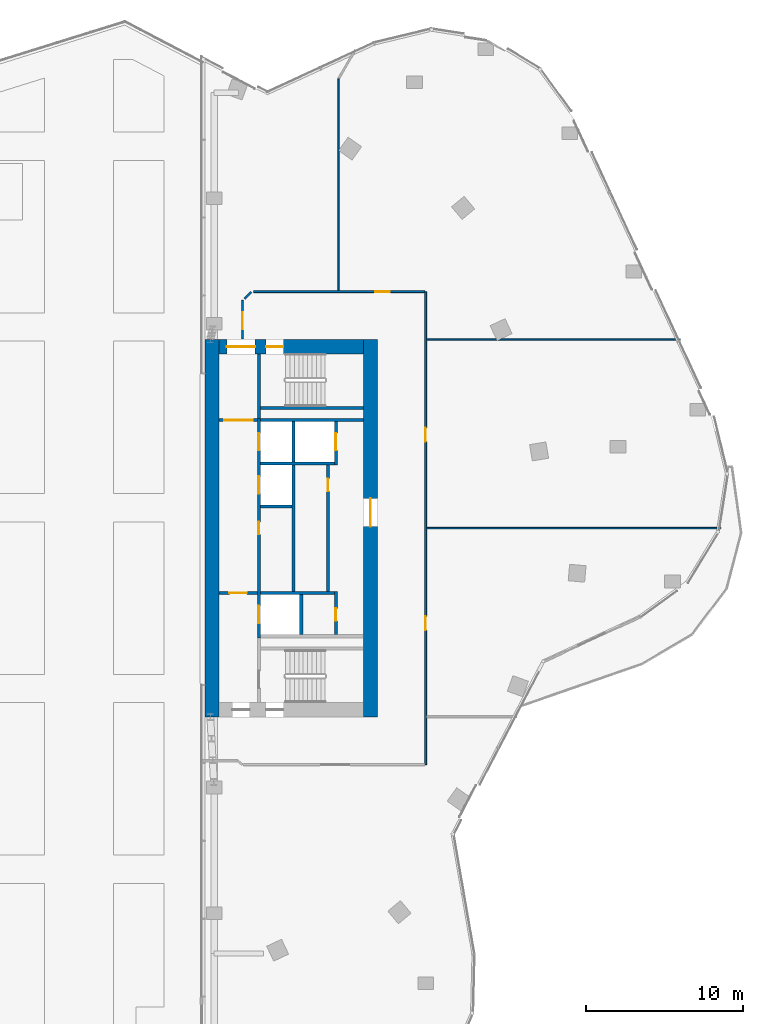
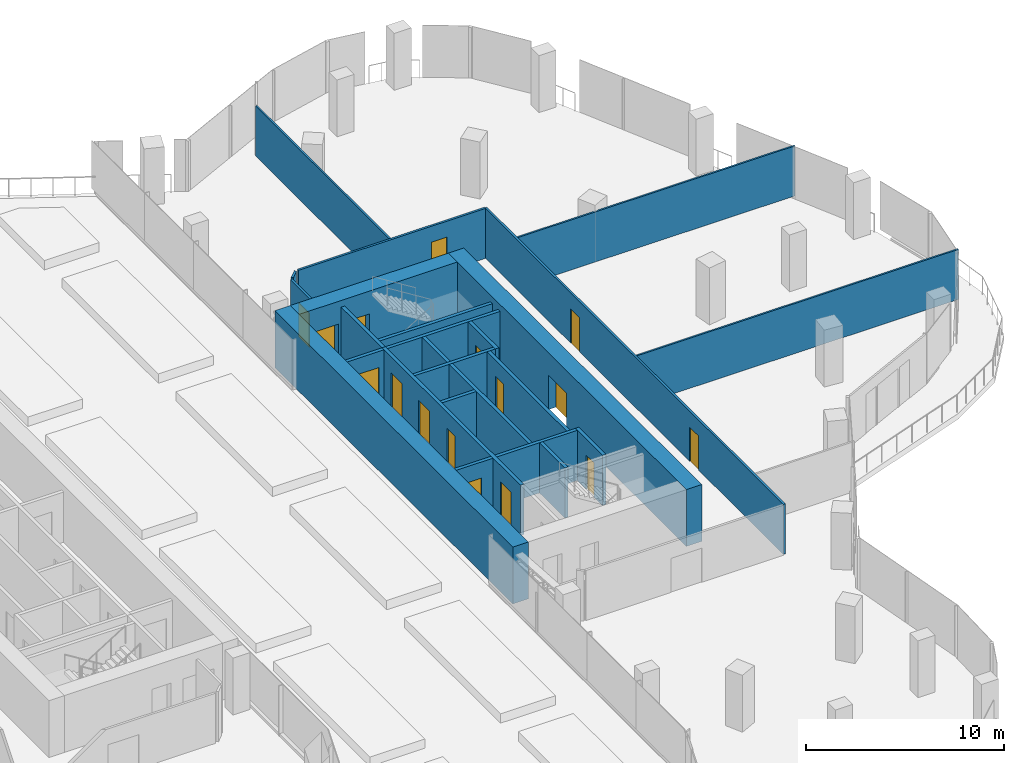
# One storey, part 21 of 26: 25 walls, 16 doors, 16 openings.
"""IFC4 building model written with IfcOpenShell, lengths in metres."""

import ifcopenshell
import ifcopenshell.guid

model = None  # the IFC model being written
_history = None  # IfcOwnerHistory: only IFC2X3 demands one
_inside = {}  # id of a spatial element -> (the spatial element, [elements in it])
_under = {}  # id of a project, library or spatial element -> (it, [spatial elements below it])
_declared = {}  # id of a project -> (the project, [libraries it declares])
_typed = {}  # id of a type object -> (the type object, [elements of that type])
_made_of = {}  # id of a material, layer set ... -> (it, [elements and type objects made of it])


def new_model(schema):
    """Start an empty IFC model of exactly this schema.

    Asked for "IFC4X3", IfcOpenShell would pick the latest addendum, in which some entities
    have other attributes; the version numbers below select the first issue.
    IFC2X3 requires an IfcOwnerHistory on every rooted entity: one is made here for all.
    """
    global model, _history
    if schema == "IFC4X3":
        model = ifcopenshell.file(schema_version=(4, 3, 0, 0))
    else:
        model = ifcopenshell.file(schema=schema)
    _inside.clear()
    _under.clear()
    _declared.clear()
    _typed.clear()
    _made_of.clear()
    _history = None
    if model.schema == "IFC2X3":
        org = make("IfcOrganization", Name="unknown")
        user = make(
            "IfcPersonAndOrganization",
            ThePerson=make("IfcPerson", FamilyName="unknown"),
            TheOrganization=org,
        )
        app = make(
            "IfcApplication",
            ApplicationDeveloper=org,
            Version="unknown",
            ApplicationFullName="unknown",
            ApplicationIdentifier="unknown",
        )
        _history = make(
            "IfcOwnerHistory",
            OwningUser=user,
            OwningApplication=app,
            ChangeAction="ADDED",
            CreationDate=0,
        )
    return model


def make(cls, **values):
    """One entity of the class cls with the attributes given. An attribute that is None is left unset."""
    return model.create_entity(
        cls, **{name: value for name, value in values.items() if value is not None}
    )


def rooted(cls, **values):
    """An entity with a GlobalId (a new one), such as an element, a storey or a relation."""
    return make(cls, GlobalId=ifcopenshell.guid.new(), OwnerHistory=_history, **values)


def si_unit(unit_type, name, prefix=None):
    """IfcSIUnit, for example si_unit("LENGTHUNIT", "METRE", prefix="MILLI")."""
    return make("IfcSIUnit", UnitType=unit_type, Prefix=prefix, Name=name)


def assignment(units):
    """IfcUnitAssignment: the units of a project."""
    return None if units is None else make("IfcUnitAssignment", Units=units)


def point(xyz):
    """IfcCartesianPoint."""
    return None if xyz is None else make("IfcCartesianPoint", Coordinates=xyz)


def direction(xyz):
    """IfcDirection."""
    return None if xyz is None else make("IfcDirection", DirectionRatios=xyz)


def frame(location, z_axis=None, x_axis=None):
    """IfcAxis2Placement3D, a coordinate frame: its origin and axes. An axis left out is left unset."""
    return make(
        "IfcAxis2Placement3D",
        Location=point(location),
        Axis=direction(z_axis),
        RefDirection=direction(x_axis),
    )


def frame_2d(location, x_axis=None):
    """IfcAxis2Placement2D, a coordinate frame in the plane: its origin and x axis."""
    return make(
        "IfcAxis2Placement2D", Location=point(location), RefDirection=direction(x_axis)
    )


def origin():
    """The frame at (0, 0, 0) with its axes left unset."""
    return frame((0.0, 0.0, 0.0))


def place(relative_to, where):
    """IfcLocalPlacement: puts the frame where relative to a parent placement (None: the world)."""
    return make(
        "IfcLocalPlacement", PlacementRelTo=relative_to, RelativePlacement=where
    )


def context(
    kind, dimensions, precision=None, world=None, true_north=None, identifier=None
):
    """IfcGeometricRepresentationContext, for example the 3D "Model" context."""
    return make(
        "IfcGeometricRepresentationContext",
        ContextIdentifier=identifier,
        ContextType=kind,
        CoordinateSpaceDimension=dimensions,
        Precision=precision,
        WorldCoordinateSystem=world,
        TrueNorth=true_north,
    )


def subcontext(parent, identifier, kind, view, scale=None):
    """IfcGeometricRepresentationSubContext, for example "Body" below "Model"."""
    return make(
        "IfcGeometricRepresentationSubContext",
        ContextIdentifier=identifier,
        ContextType=kind,
        ParentContext=parent,
        TargetScale=scale,
        TargetView=view,
    )


def project(units=None, contexts=None):
    """IfcProject with its units and contexts."""
    return rooted(
        "IfcProject",
        Name="project",
        RepresentationContexts=contexts,
        UnitsInContext=assignment(units),
    )


def spatial(cls, under=None, at=None, **own):
    """A site, building, storey or space (cls), placed at a placement, below another one or the project."""
    s = rooted(cls, ObjectPlacement=at, **own)
    if under is not None:
        _under.setdefault(under.id(), (under, []))[1].append(s)
    return s


def profile(cls, at=None, kind="AREA", **sizes):
    """A parametric profile (cls). Its sizes go by their IFC names, for example OverallWidth=200.0."""
    return make(cls, ProfileType=kind, Position=at, **sizes)


def rectangle(**sizes):
    """IfcRectangleProfileDef."""
    return profile("IfcRectangleProfileDef", **sizes)


def extrude(swept, where, along, depth):
    """IfcExtrudedAreaSolid: the profile swept, set in the frame where, extruded along a direction by depth."""
    return make(
        "IfcExtrudedAreaSolid",
        SweptArea=swept,
        Position=where,
        ExtrudedDirection=direction(along),
        Depth=depth,
    )


def shape(context_of_items, identifier, shape_type, items):
    """IfcShapeRepresentation: the items that make up one representation, for example the "Body"."""
    return make(
        "IfcShapeRepresentation",
        ContextOfItems=context_of_items,
        RepresentationIdentifier=identifier,
        RepresentationType=shape_type,
        Items=items,
    )


def material(Name=None, Category=None):
    """IfcMaterial."""
    return make("IfcMaterial", Name=Name, Category=Category)


def layer(
    of_material, thickness, ventilated=None, Name=None, Category=None, Priority=None
):
    """IfcMaterialLayer: one layer of a wall or slab, of a material (None: an air gap)."""
    return make(
        "IfcMaterialLayer",
        Material=of_material,
        LayerThickness=thickness,
        IsVentilated=ventilated,
        Name=Name,
        Category=Category,
        Priority=Priority,
    )


def layer_set(layers, Name=None):
    """IfcMaterialLayerSet."""
    return make("IfcMaterialLayerSet", MaterialLayers=layers, LayerSetName=Name)


def made_of(thing, what):
    """Note that an element or type object is made of a material, layer set ...; save() writes the relation."""
    if what is not None:
        _made_of.setdefault(what.id(), (what, []))[1].append(thing)
    return thing


def type_object(cls, material=None, **own):
    """A type object (cls), such as IfcWallType, which elements share."""
    return made_of(rooted(cls, **own), material)


def element(
    cls,
    number,
    at=None,
    inside=None,
    cuts=None,
    type_object=None,
    material=None,
    context=None,
    identifier="Body",
    shape_type=None,
    held_by="IfcProductDefinitionShape",
    body=None,
    shapes=None,
    **own,
):
    """One element of the class cls, such as IfcWall. Its Tag is "e" and its number.

    at: its placement. inside: the storey or other place that contains it. cuts: it is an
    opening in that element (IfcRelVoidsElement). A single representation is given by context,
    identifier, shape_type and body (its items); several are given by shapes. held_by: the class
    of the entity that holds the representations. save() writes the other relations.
    """
    e = rooted(cls, Tag="e%d" % number, ObjectPlacement=at, **own)
    if body is not None:
        shapes = [shape(context, identifier, shape_type, body)]
    if shapes is not None:
        e.Representation = make(held_by, Representations=shapes)
    if inside is not None:
        _inside.setdefault(inside.id(), (inside, []))[1].append(e)
    if cuts is not None:
        rooted(
            "IfcRelVoidsElement", RelatingBuildingElement=cuts, RelatedOpeningElement=e
        )
    if type_object is not None:
        _typed.setdefault(type_object.id(), (type_object, []))[1].append(e)
    return made_of(e, material)


def fill(opening, filler):
    """IfcRelFillsElement: the door or window that sits in an opening."""
    return rooted(
        "IfcRelFillsElement",
        RelatingOpeningElement=opening,
        RelatedBuildingElement=filler,
    )


def aggregate(whole, parts):
    """IfcRelAggregates: a whole, such as a stair, and the parts it consists of."""
    return rooted("IfcRelAggregates", RelatingObject=whole, RelatedObjects=parts)


def save(model, path):
    """Write the relations noted so far, then the file.

    IfcRelAggregates (storeys below a building ...), IfcRelContainedInSpatialStructure (elements
    in a storey), IfcRelDefinesByType, IfcRelAssociatesMaterial and IfcRelDeclares: one each for
    every whole, place, type object, material and project.
    """
    for whole, parts in _under.values():
        aggregate(whole, parts)
    for where, things in _inside.values():
        rooted(
            "IfcRelContainedInSpatialStructure",
            RelatedElements=things,
            RelatingStructure=where,
        )
    for kind, things in _typed.values():
        rooted("IfcRelDefinesByType", RelatedObjects=things, RelatingType=kind)
    for what, things in _made_of.values():
        rooted("IfcRelAssociatesMaterial", RelatedObjects=things, RelatingMaterial=what)
    for by, libraries in _declared.values():
        rooted("IfcRelDeclares", RelatingContext=by, RelatedDefinitions=libraries)
    model.write(path)


model = new_model("IFC4")

# Units and contexts
model_context = context("Model", 3, precision=1e-05, world=origin(), true_north=direction((0.0, 1.0)))
body_context = subcontext(model_context, "Body", "Model", "MODEL_VIEW")
ifc_project = project(units=[si_unit("LENGTHUNIT", "METRE"), si_unit("AREAUNIT", "SQUARE_METRE"), si_unit("VOLUMEUNIT", "CUBIC_METRE"), si_unit("PLANEANGLEUNIT", "RADIAN"), si_unit("MASSUNIT", "GRAM", prefix="KILO")], contexts=[model_context])

# Site, building, storey
site_placement = place(None, origin())
site = spatial("IfcSite", under=ifc_project, at=site_placement, CompositionType="ELEMENT")
building_placement = place(site_placement, origin())
building = spatial("IfcBuilding", under=site, at=building_placement, Name="Orlundy Tower", CompositionType="ELEMENT")
storey_placement = place(building_placement, frame((0.0, 0.0, 253.5)))
storey = spatial("IfcBuildingStorey", under=building, at=storey_placement, Name="L67", CompositionType="ELEMENT", Elevation=253.5)

# Wall, openings, doors
ifc_material_1 = material(Name="Concrete C60/75", Category="concrete")
ifc_layer_1 = layer(ifc_material_1, 0.89990234375)
ifc_layer_set_1 = layer_set([ifc_layer_1], Name="CORE WALL 900 C60/75")
wall_type_1 = type_object("IfcWallType", Name="CORE WALL 900 C60/75", PredefinedType="SHEAR", material=ifc_layer_set_1)
wall_1_placement = place(storey_placement, frame((8.89990234375, 11.550048828125, 0.0), z_axis=(0.0, 0.0, 1.0), x_axis=(1.0, 0.0, 0.0)))
wall_1 = element("IfcWall", 1, at=wall_1_placement, inside=storey, type_object=wall_type_1, Name="Core wall E-N L67", PredefinedType="SHEAR", context=body_context, shape_type="SweptSolid", body=[
    extrude(rectangle(XDim=9.2001953125, YDim=0.89990234375, at=frame_2d((4.60009765625, 0.0))), origin(), (0.0, 0.0, 1.0), 3.5),
])
opening_1_placement = place(wall_1_placement, frame((0.5, 0.0, 0.0)))
opening_1 = element("IfcOpeningElement", 2, at=opening_1_placement, cuts=wall_1, Name="Opening 51061", PredefinedType="OPENING", context=body_context, shape_type="SweptSolid", body=[
    extrude(rectangle(XDim=1.800048828125, YDim=2.10009765625, at=frame_2d((0.89990234375, 1.050048828125))), frame((0.0, 0.4599609375, 0.0), z_axis=(0.0, -1.0, 0.0), x_axis=(1.0, 0.0, 0.0)), (0.0, 0.0, 1.0), 0.919921875),
])
opening_2_placement = place(wall_1_placement, frame((3.0, 0.0, 0.0)))
opening_2 = element("IfcOpeningElement", 3, at=opening_2_placement, cuts=wall_1, Name="Opening 51063", PredefinedType="OPENING", context=body_context, shape_type="SweptSolid", body=[
    extrude(rectangle(XDim=1.10009765625, YDim=2.10009765625, at=frame_2d((0.550048828125, 1.050048828125))), frame((0.0, 0.4599609375, 0.0), z_axis=(0.0, -1.0, 0.0), x_axis=(1.0, 0.0, 0.0)), (0.0, 0.0, 1.0), 0.919921875),
])
ifc_material_2 = material(Name="Timber door set", Category="wood")
door_type_1 = type_object("IfcDoorType", Name="Lobby Door 1800x2100", OperationType="DOUBLE_DOOR_DOUBLE_SWING", PredefinedType="DOOR", material=ifc_material_2)
door_1_placement = place(opening_1_placement, origin())
door_1 = element("IfcDoor", 4, at=door_1_placement, inside=storey, type_object=door_type_1, Name="Passage door 51061", OperationType="SINGLE_SWING_LEFT", OverallHeight=2.10009765625, OverallWidth=1.800048828125, PredefinedType="DOOR", context=body_context, shape_type="SweptSolid", body=[
    extrude(rectangle(XDim=1.800048828125, YDim=2.10009765625, at=frame_2d((0.89990234375, 1.050048828125))), frame((0.0, 0.02490234375, 0.0), z_axis=(0.0, -1.0, 0.0), x_axis=(1.0, 0.0, 0.0)), (0.0, 0.0, 1.0), 0.050048828125),
])
fill(opening_1, door_1)
ifc_material_3 = material(Name="Steel door set", Category="steel")
door_type_2 = type_object("IfcDoorType", Name="Stair Door 1100x2100", OperationType="SINGLE_SWING_LEFT", PredefinedType="DOOR", material=ifc_material_3)
door_2_placement = place(opening_2_placement, origin())
door_2 = element("IfcDoor", 5, at=door_2_placement, inside=storey, type_object=door_type_2, Name="Stair door 51063", OperationType="SINGLE_SWING_LEFT", OverallHeight=2.10009765625, OverallWidth=1.10009765625, PredefinedType="DOOR", context=body_context, shape_type="SweptSolid", body=[
    extrude(rectangle(XDim=1.10009765625, YDim=2.10009765625, at=frame_2d((0.550048828125, 1.050048828125))), frame((0.0, 0.02490234375, 0.0), z_axis=(0.0, -1.0, 0.0), x_axis=(1.0, 0.0, 0.0)), (0.0, 0.0, 1.0), 0.050048828125),
])
fill(opening_2, door_2)

# Wall
wall_2_placement = place(storey_placement, frame((8.449951171875, -12.0, 0.0), z_axis=(0.0, 0.0, 1.0), x_axis=(0.0, 1.0, 0.0)))
element("IfcWall", 6, at=wall_2_placement, inside=storey, type_object=wall_type_1, Name="Core wall E-W L67", PredefinedType="SHEAR", context=body_context, shape_type="SweptSolid", body=[
    extrude(rectangle(XDim=24.0, YDim=0.89990234375, at=frame_2d((12.0, 0.0))), origin(), (0.0, 0.0, 1.0), 3.5),
])

# Wall, opening, door
wall_3_placement = place(storey_placement, frame((18.550048828125, -12.0, 0.0), z_axis=(0.0, 0.0, 1.0), x_axis=(0.0, 1.0, 0.0)))
wall_3 = element("IfcWall", 7, at=wall_3_placement, inside=storey, type_object=wall_type_1, Name="Core wall E-E L67", PredefinedType="SHEAR", context=body_context, shape_type="SweptSolid", body=[
    extrude(rectangle(XDim=24.0, YDim=0.89990234375, at=frame_2d((12.0, 0.0))), origin(), (0.0, 0.0, 1.0), 3.5),
])
opening_3_placement = place(wall_3_placement, frame((12.10009765625, 0.0, 0.0)))
opening_3 = element("IfcOpeningElement", 8, at=opening_3_placement, cuts=wall_3, Name="Opening 51057", PredefinedType="OPENING", context=body_context, shape_type="SweptSolid", body=[
    extrude(rectangle(XDim=1.800048828125, YDim=2.10009765625, at=frame_2d((0.89990234375, 1.050048828125))), frame((0.0, 0.4599609375, 0.0), z_axis=(0.0, -1.0, 0.0), x_axis=(1.0, 0.0, 0.0)), (0.0, 0.0, 1.0), 0.919921875),
])
door_3_placement = place(opening_3_placement, origin())
door_3 = element("IfcDoor", 9, at=door_3_placement, inside=storey, type_object=door_type_1, Name="Lift lobby door 51057", OperationType="SINGLE_SWING_RIGHT", OverallHeight=2.10009765625, OverallWidth=1.800048828125, PredefinedType="DOOR", context=body_context, shape_type="SweptSolid", body=[
    extrude(rectangle(XDim=1.800048828125, YDim=2.10009765625, at=frame_2d((0.89990234375, 1.050048828125))), frame((0.0, 0.02490234375, 0.0), z_axis=(0.0, -1.0, 0.0), x_axis=(1.0, 0.0, 0.0)), (0.0, 0.0, 1.0), 0.050048828125),
])
fill(opening_3, door_3)

# Walls
ifc_material_4 = material(Name="Gypsum board partition")
ifc_layer_2 = layer(ifc_material_4, 0.10009765625)
ifc_layer_set_2 = layer_set([ifc_layer_2], Name="Floor partition 100")
wall_type_2 = type_object("IfcWallType", Name="Floor partition 100", PredefinedType="PARTITIONING", material=ifc_layer_set_2)
wall_4_placement = place(storey_placement, frame((22.113037109375, 0.0, 0.0), z_axis=(0.0, 0.0, 1.0), x_axis=(1.0, 0.0, 0.0)))
element("IfcWall", 10, at=wall_4_placement, inside=storey, type_object=wall_type_2, Name="wall-int-L67-007", PredefinedType="PARTITIONING", context=body_context, shape_type="SweptSolid", body=[
    extrude(rectangle(XDim=18.724853515625, YDim=0.10009765625, at=frame_2d((9.3623046875, 0.0))), origin(), (0.0, 0.0, 1.0), 3.080078125),
])
wall_5_placement = place(storey_placement, frame((22.113037109375, 12.0, 0.0), z_axis=(0.0, 0.0, 1.0), x_axis=(1.0, 0.0, 0.0)))
element("IfcWall", 11, at=wall_5_placement, inside=storey, type_object=wall_type_2, Name="wall-int-L67-010", PredefinedType="PARTITIONING", context=body_context, shape_type="SweptSolid", body=[
    extrude(rectangle(XDim=16.134033203125, YDim=0.10009765625, at=frame_2d((8.06689453125, 0.0))), origin(), (0.0, 0.0, 1.0), 3.080078125),
])
wall_6_placement = place(storey_placement, frame((16.5048828125, 15.114013671875, 0.0), z_axis=(0.0, 0.0, 1.0), x_axis=(0.0, 1.0, 0.0)))
element("IfcWall", 12, at=wall_6_placement, inside=storey, type_object=wall_type_2, Name="wall-int-L67-018", PredefinedType="PARTITIONING", context=body_context, shape_type="SweptSolid", body=[
    extrude(rectangle(XDim=13.472900390625, YDim=0.10009765625, at=frame_2d((6.736328125, 0.0))), origin(), (0.0, 0.0, 1.0), 3.080078125),
])

# Wall, opening, door
ifc_material_5 = material(Name="Gypsum board partition, double layer")
ifc_layer_3 = layer(ifc_material_5, 0.125)
ifc_layer_set_3 = layer_set([ifc_layer_3], Name="Floor partition 125")
wall_type_3 = type_object("IfcWallType", Name="Floor partition 125", PredefinedType="PARTITIONING", material=ifc_layer_set_3)
wall_7_placement = place(storey_placement, frame((11.110107421875, 15.051025390625, 0.0), z_axis=(0.0, 0.0, 1.0), x_axis=(1.0, 0.0, 0.0)))
wall_7 = element("IfcWall", 13, at=wall_7_placement, inside=storey, type_object=wall_type_3, Name="wall-int-L67-013", PredefinedType="PARTITIONING", context=body_context, shape_type="SweptSolid", body=[
    extrude(rectangle(XDim=10.8779296875, YDim=0.125, at=frame_2d((5.43896484375, 0.0))), origin(), (0.0, 0.0, 1.0), 3.080078125),
])
opening_4_placement = place(wall_7_placement, frame((7.7451171875, 0.0, 0.0)))
opening_4 = element("IfcOpeningElement", 14, at=opening_4_placement, cuts=wall_7, Name="Opening 51104", PredefinedType="OPENING", context=body_context, shape_type="SweptSolid", body=[
    extrude(rectangle(XDim=0.89990234375, YDim=2.10009765625, at=frame_2d((0.449951171875, 1.050048828125))), frame((0.0, 0.072509765625, 0.0), z_axis=(0.0, -1.0, 0.0), x_axis=(1.0, 0.0, 0.0)), (0.0, 0.0, 1.0), 0.14501953125),
])
ifc_material_6 = material(Name="Timber door leaf", Category="wood")
door_type_3 = type_object("IfcDoorType", Name="Floor door single 900 FD30S", OperationType="NOTDEFINED", PredefinedType="DOOR", material=ifc_material_6)
door_4_placement = place(opening_4_placement, origin())
door_4 = element("IfcDoor", 15, at=door_4_placement, inside=storey, type_object=door_type_3, Name="Door 51104", OperationType="SINGLE_SWING_RIGHT", OverallHeight=2.10009765625, OverallWidth=0.89990234375, PredefinedType="DOOR", context=body_context, shape_type="SweptSolid", body=[
    extrude(rectangle(XDim=0.89990234375, YDim=2.10009765625, at=frame_2d((0.449951171875, 1.050048828125))), frame((0.0, 0.02490234375, 0.0), z_axis=(0.0, -1.0, 0.0), x_axis=(1.0, 0.0, 0.0)), (0.0, 0.0, 1.0), 0.050048828125),
])
fill(opening_4, door_4)

# Wall
wall_8_placement = place(storey_placement, frame((10.529052734375, 14.60693359375, 0.0), z_axis=(0.0, 0.0, 1.0), x_axis=(0.706902680526, 0.707310822952, 0.0)))
element("IfcWall", 16, at=wall_8_placement, inside=storey, type_object=wall_type_3, Name="wall-int-L67-015", PredefinedType="PARTITIONING", context=body_context, shape_type="SweptSolid", body=[
    extrude(rectangle(XDim=0.59814453125, YDim=0.125, at=frame_2d((0.299072265625, 0.0))), origin(), (0.0, 0.0, 1.0), 3.080078125),
])

# Wall, openings, doors
wall_9_placement = place(storey_placement, frame((22.051025390625, 15.050048828125, 0.0), z_axis=(0.0, 0.0, 1.0), x_axis=(0.0, -1.0, 0.0)))
wall_9 = element("IfcWall", 17, at=wall_9_placement, inside=storey, type_object=wall_type_3, Name="wall-int-L67-017", PredefinedType="PARTITIONING", context=body_context, shape_type="SweptSolid", body=[
    extrude(rectangle(XDim=30.09912109375, YDim=0.125, at=frame_2d((15.049560546875, 0.0))), origin(), (0.0, 0.0, 1.0), 3.080078125),
])
opening_5_placement = place(wall_9_placement, frame((20.64990234375, 0.0, 0.0)))
opening_5 = element("IfcOpeningElement", 18, at=opening_5_placement, cuts=wall_9, Name="Opening 51102", PredefinedType="OPENING", context=body_context, shape_type="SweptSolid", body=[
    extrude(rectangle(XDim=0.89990234375, YDim=2.10009765625, at=frame_2d((0.449951171875, 1.050048828125))), frame((0.0, 0.072509765625, 0.0), z_axis=(0.0, -1.0, 0.0), x_axis=(1.0, 0.0, 0.0)), (0.0, 0.0, 1.0), 0.14501953125),
])
opening_6_placement = place(wall_9_placement, frame((8.64990234375, 0.0, 0.0)))
opening_6 = element("IfcOpeningElement", 19, at=opening_6_placement, cuts=wall_9, Name="Opening 51103", PredefinedType="OPENING", context=body_context, shape_type="SweptSolid", body=[
    extrude(rectangle(XDim=0.89990234375, YDim=2.10009765625, at=frame_2d((0.449951171875, 1.050048828125))), frame((0.0, 0.072509765625, 0.0), z_axis=(0.0, -1.0, 0.0), x_axis=(1.0, 0.0, 0.0)), (0.0, 0.0, 1.0), 0.14501953125),
])
door_5_placement = place(opening_5_placement, origin())
door_5 = element("IfcDoor", 20, at=door_5_placement, inside=storey, type_object=door_type_3, Name="Door 51102", OperationType="SINGLE_SWING_RIGHT", OverallHeight=2.10009765625, OverallWidth=0.89990234375, PredefinedType="DOOR", context=body_context, shape_type="SweptSolid", body=[
    extrude(rectangle(XDim=0.89990234375, YDim=2.10009765625, at=frame_2d((0.449951171875, 1.050048828125))), frame((0.0, 0.02490234375, 0.0), z_axis=(0.0, -1.0, 0.0), x_axis=(1.0, 0.0, 0.0)), (0.0, 0.0, 1.0), 0.050048828125),
])
fill(opening_5, door_5)
door_6_placement = place(opening_6_placement, origin())
door_6 = element("IfcDoor", 21, at=door_6_placement, inside=storey, type_object=door_type_3, Name="Door 51103", OperationType="SINGLE_SWING_LEFT", OverallHeight=2.10009765625, OverallWidth=0.89990234375, PredefinedType="DOOR", context=body_context, shape_type="SweptSolid", body=[
    extrude(rectangle(XDim=0.89990234375, YDim=2.10009765625, at=frame_2d((0.449951171875, 1.050048828125))), frame((0.0, 0.02490234375, 0.0), z_axis=(0.0, -1.0, 0.0), x_axis=(1.0, 0.0, 0.0)), (0.0, 0.0, 1.0), 0.050048828125),
])
fill(opening_6, door_6)

# Wall, opening, door
wall_10_placement = place(storey_placement, frame((10.39990234375, 12.050048828125, 0.0), z_axis=(0.0, 0.0, 1.0), x_axis=(0.0, 1.0, 0.0)))
wall_10 = element("IfcWall", 22, at=wall_10_placement, inside=storey, type_object=wall_type_3, Name="wall-int-L67-020", PredefinedType="PARTITIONING", context=body_context, shape_type="SweptSolid", body=[
    extrude(rectangle(XDim=2.44189453125, YDim=0.125, at=frame_2d((1.220947265625, 0.0))), origin(), (0.0, 0.0, 1.0), 3.080078125),
])
opening_7_placement = place(wall_10_placement, frame((0.60009765625, 0.0, 0.0)))
opening_7 = element("IfcOpeningElement", 23, at=opening_7_placement, cuts=wall_10, Name="Opening 51105", PredefinedType="OPENING", context=body_context, shape_type="SweptSolid", body=[
    extrude(rectangle(XDim=1.10009765625, YDim=2.10009765625, at=frame_2d((0.550048828125, 1.050048828125))), frame((0.0, 0.072509765625, 0.0), z_axis=(0.0, -1.0, 0.0), x_axis=(1.0, 0.0, 0.0)), (0.0, 0.0, 1.0), 0.14501953125),
])
ifc_material_7 = material(Name="Timber door leaf", Category="wood")
door_type_4 = type_object("IfcDoorType", Name="Floor door xwide 1100 FD30S", OperationType="NOTDEFINED", PredefinedType="DOOR", material=ifc_material_7)
door_7_placement = place(opening_7_placement, origin())
door_7 = element("IfcDoor", 24, at=door_7_placement, inside=storey, type_object=door_type_4, Name="Door 51105", OperationType="SINGLE_SWING_LEFT", OverallHeight=2.10009765625, OverallWidth=1.10009765625, PredefinedType="DOOR", context=body_context, shape_type="SweptSolid", body=[
    extrude(rectangle(XDim=1.10009765625, YDim=2.10009765625, at=frame_2d((0.550048828125, 1.050048828125))), frame((0.0, 0.02490234375, 0.0), z_axis=(0.0, -1.0, 0.0), x_axis=(1.0, 0.0, 0.0)), (0.0, 0.0, 1.0), 0.050048828125),
])
fill(opening_7, door_7)

# Walls
ifc_material_8 = material(Name="Concrete C40/50", Category="concrete")
ifc_layer_4 = layer(ifc_material_8, 0.199951171875)
ifc_layer_set_4 = layer_set([ifc_layer_4], Name="Load-bearing Shaft Wall 200")
wall_type_4 = type_object("IfcWallType", Name="Load-bearing Shaft Wall 200", PredefinedType="SOLIDWALL", material=ifc_layer_set_4)
wall_11_placement = place(storey_placement, frame((11.43994140625, 11.10009765625, 0.0), z_axis=(0.0, 0.0, 1.0), x_axis=(0.0, -1.0, 0.0)))
element("IfcWall", 25, at=wall_11_placement, inside=storey, type_object=wall_type_4, Name="Shaft wall E51-stair-end-s", PredefinedType="SOLIDWALL", context=body_context, shape_type="SweptSolid", body=[
    extrude(rectangle(XDim=4.125, YDim=0.199951171875, at=frame_2d((2.0625, 0.0))), origin(), (0.0, 0.0, 1.0), 3.090087890625),
])
wall_12_placement = place(storey_placement, frame((11.5400390625, 7.64990234375, 0.0), z_axis=(0.0, 0.0, 1.0), x_axis=(1.0, 0.0, 0.0)))
element("IfcWall", 26, at=wall_12_placement, inside=storey, type_object=wall_type_4, Name="Shaft wall E51-stair-side-s", PredefinedType="SOLIDWALL", context=body_context, shape_type="SweptSolid", body=[
    extrude(rectangle(XDim=6.56005859375, YDim=0.199951171875, at=frame_2d((3.280029296875, 0.0))), origin(), (0.0, 0.0, 1.0), 3.090087890625),
])

# Wall, opening, door
ifc_material_9 = material(Name="Gypsum board partition on steel studs", Category="steel")
ifc_layer_5 = layer(ifc_material_9, 0.199951171875)
ifc_layer_set_5 = layer_set([ifc_layer_5], Name="Partition 200")
wall_type_5 = type_object("IfcWallType", Name="Partition 200", PredefinedType="PARTITIONING", material=ifc_layer_set_5)
wall_13_placement = place(storey_placement, frame((8.89990234375, -4.125, 0.0), z_axis=(0.0, 0.0, 1.0), x_axis=(1.0, 0.0, 0.0)))
wall_13 = element("IfcWall", 27, at=wall_13_placement, inside=storey, type_object=wall_type_5, Name="Partition wall E51-lobby-n", PredefinedType="PARTITIONING", context=body_context, shape_type="SweptSolid", body=[
    extrude(rectangle(XDim=2.440185546875, YDim=0.199951171875, at=frame_2d((1.22021484375, 0.0))), origin(), (0.0, 0.0, 1.0), 3.090087890625),
])
opening_8_placement = place(wall_13_placement, frame((0.669921875, 0.0, 0.0)))
opening_8 = element("IfcOpeningElement", 28, at=opening_8_placement, cuts=wall_13, Name="Opening 51059", PredefinedType="OPENING", context=body_context, shape_type="SweptSolid", body=[
    extrude(rectangle(XDim=1.10009765625, YDim=2.10009765625, at=frame_2d((0.550048828125, 1.050048828125))), frame((0.0, 0.110107421875, 0.0), z_axis=(0.0, -1.0, 0.0), x_axis=(1.0, 0.0, 0.0)), (0.0, 0.0, 1.0), 0.22021484375),
])
ifc_material_10 = material(Name="Steel door set", Category="steel")
door_type_5 = type_object("IfcDoorType", Name="Fire-fighting Lobby Door 1100x2100", OperationType="SINGLE_SWING_LEFT", PredefinedType="DOOR", material=ifc_material_10)
door_8_placement = place(opening_8_placement, origin())
door_8 = element("IfcDoor", 29, at=door_8_placement, inside=storey, type_object=door_type_5, Name="Lift lobby to fire-fighting lobby door 51059", OperationType="SINGLE_SWING_RIGHT", OverallHeight=2.10009765625, OverallWidth=1.10009765625, PredefinedType="DOOR", context=body_context, shape_type="SweptSolid", body=[
    extrude(rectangle(XDim=1.10009765625, YDim=2.10009765625, at=frame_2d((0.550048828125, 1.050048828125))), frame((0.0, 0.02490234375, 0.0), z_axis=(0.0, -1.0, 0.0), x_axis=(1.0, 0.0, 0.0)), (0.0, 0.0, 1.0), 0.050048828125),
])
fill(opening_8, door_8)

wall_14_placement = place(storey_placement, frame((8.89990234375, 6.875, 0.0), z_axis=(0.0, 0.0, 1.0), x_axis=(1.0, 0.0, 0.0)))
wall_14 = element("IfcWall", 30, at=wall_14_placement, inside=storey, type_object=wall_type_5, Name="Partition wall E51-end-s", PredefinedType="PARTITIONING", context=body_context, shape_type="SweptSolid", body=[
    extrude(rectangle(XDim=2.440185546875, YDim=0.199951171875, at=frame_2d((1.22021484375, 0.0))), origin(), (0.0, 0.0, 1.0), 3.090087890625),
])
opening_9_placement = place(wall_14_placement, frame((0.35009765625, 0.0, 0.0)))
opening_9 = element("IfcOpeningElement", 31, at=opening_9_placement, cuts=wall_14, Name="Opening 51060", PredefinedType="OPENING", context=body_context, shape_type="SweptSolid", body=[
    extrude(rectangle(XDim=1.800048828125, YDim=2.10009765625, at=frame_2d((0.89990234375, 1.050048828125))), frame((0.0, 0.110107421875, 0.0), z_axis=(0.0, -1.0, 0.0), x_axis=(1.0, 0.0, 0.0)), (0.0, 0.0, 1.0), 0.22021484375),
])
door_9_placement = place(opening_9_placement, origin())
door_9 = element("IfcDoor", 32, at=door_9_placement, inside=storey, type_object=door_type_1, Name="Lift lobby to passage door 51060", OperationType="DOUBLE_DOOR_DOUBLE_SWING", OverallHeight=2.10009765625, OverallWidth=1.800048828125, PredefinedType="DOOR", context=body_context, shape_type="SweptSolid", body=[
    extrude(rectangle(XDim=1.800048828125, YDim=2.10009765625, at=frame_2d((0.89990234375, 1.050048828125))), frame((0.0, 0.02490234375, 0.0), z_axis=(0.0, -1.0, 0.0), x_axis=(1.0, 0.0, 0.0)), (0.0, 0.0, 1.0), 0.050048828125),
])
fill(opening_9, door_9)

# Walls
ifc_material_11 = material(Name="Fire-rated blockwork shaft wall", Category="masonry")
ifc_layer_6 = layer(ifc_material_11, 0.199951171875)
ifc_layer_set_6 = layer_set([ifc_layer_6], Name="Shaft Wall 200")
wall_type_6 = type_object("IfcWallType", Name="Shaft Wall 200", PredefinedType="SOLIDWALL", material=ifc_layer_set_6)
wall_15_placement = place(storey_placement, frame((11.5400390625, 6.875, 0.0), z_axis=(0.0, 0.0, 1.0), x_axis=(1.0, 0.0, 0.0)))
element("IfcWall", 33, at=wall_15_placement, inside=storey, type_object=wall_type_6, Name="Shaft wall E51-zone-s", PredefinedType="SOLIDWALL", context=body_context, shape_type="SweptSolid", body=[
    extrude(rectangle(XDim=6.56005859375, YDim=0.199951171875, at=frame_2d((3.280029296875, 0.0))), origin(), (0.0, 0.0, 1.0), 3.090087890625),
])
wall_16_placement = place(storey_placement, frame((11.5400390625, 4.125, 0.0), z_axis=(0.0, 0.0, 1.0), x_axis=(1.0, 0.0, 0.0)))
element("IfcWall", 34, at=wall_16_placement, inside=storey, type_object=wall_type_6, Name="Shaft wall E51-cross-4.125", PredefinedType="SOLIDWALL", context=body_context, shape_type="SweptSolid", body=[
    extrude(rectangle(XDim=4.699951171875, YDim=0.199951171875, at=frame_2d((2.35009765625, 0.0))), origin(), (0.0, 0.0, 1.0), 3.090087890625),
])
wall_17_placement = place(storey_placement, frame((11.5400390625, 1.375, 0.0), z_axis=(0.0, 0.0, 1.0), x_axis=(1.0, 0.0, 0.0)))
element("IfcWall", 35, at=wall_17_placement, inside=storey, type_object=wall_type_6, Name="Shaft wall E51-cross-1.375", PredefinedType="SOLIDWALL", context=body_context, shape_type="SweptSolid", body=[
    extrude(rectangle(XDim=2.0, YDim=0.199951171875, at=frame_2d((1.0, 0.0))), origin(), (0.0, 0.0, 1.0), 3.090087890625),
])
wall_18_placement = place(storey_placement, frame((11.5400390625, -4.125, 0.0), z_axis=(0.0, 0.0, 1.0), x_axis=(1.0, 0.0, 0.0)))
element("IfcWall", 36, at=wall_18_placement, inside=storey, type_object=wall_type_6, Name="Shaft wall E51-cross+4.125", PredefinedType="SOLIDWALL", context=body_context, shape_type="SweptSolid", body=[
    extrude(rectangle(XDim=4.699951171875, YDim=0.199951171875, at=frame_2d((2.35009765625, 0.0))), origin(), (0.0, 0.0, 1.0), 3.090087890625),
])

# Wall, openings, doors
wall_19_placement = place(storey_placement, frame((11.43994140625, 6.97509765625, 0.0), z_axis=(0.0, 0.0, 1.0), x_axis=(0.0, -1.0, 0.0)))
wall_19 = element("IfcWall", 37, at=wall_19_placement, inside=storey, type_object=wall_type_6, Name="Shaft wall E51-front-h", PredefinedType="SOLIDWALL", context=body_context, shape_type="SweptSolid", body=[
    extrude(rectangle(XDim=13.9501953125, YDim=0.199951171875, at=frame_2d((6.97509765625, 0.0))), origin(), (0.0, 0.0, 1.0), 3.090087890625),
])
opening_10_placement = place(wall_19_placement, frame((0.925048828125, 0.0, 0.0)))
opening_10 = element("IfcOpeningElement", 38, at=opening_10_placement, cuts=wall_19, Name="Opening 51050", PredefinedType="OPENING", context=body_context, shape_type="SweptSolid", body=[
    extrude(rectangle(XDim=1.10009765625, YDim=2.10009765625, at=frame_2d((0.550048828125, 1.050048828125))), frame((0.0, 0.110107421875, 0.0), z_axis=(0.0, -1.0, 0.0), x_axis=(1.0, 0.0, 0.0)), (0.0, 0.0, 1.0), 0.22021484375),
])
opening_11_placement = place(wall_19_placement, frame((3.675048828125, 0.0, 0.0)))
opening_11 = element("IfcOpeningElement", 39, at=opening_11_placement, cuts=wall_19, Name="Opening 51052", PredefinedType="OPENING", context=body_context, shape_type="SweptSolid", body=[
    extrude(rectangle(XDim=1.10009765625, YDim=2.10009765625, at=frame_2d((0.550048828125, 1.050048828125))), frame((0.0, 0.110107421875, 0.0), z_axis=(0.0, -1.0, 0.0), x_axis=(1.0, 0.0, 0.0)), (0.0, 0.0, 1.0), 0.22021484375),
])
opening_12_placement = place(wall_19_placement, frame((11.925048828125, 0.0, 0.0)))
opening_12 = element("IfcOpeningElement", 40, at=opening_12_placement, cuts=wall_19, Name="Opening 51053", PredefinedType="OPENING", context=body_context, shape_type="SweptSolid", body=[
    extrude(rectangle(XDim=1.10009765625, YDim=2.10009765625, at=frame_2d((0.550048828125, 1.050048828125))), frame((0.0, 0.110107421875, 0.0), z_axis=(0.0, -1.0, 0.0), x_axis=(1.0, 0.0, 0.0)), (0.0, 0.0, 1.0), 0.22021484375),
])
opening_13_placement = place(wall_19_placement, frame((6.574951171875, 0.0, 0.0)))
opening_13 = element("IfcOpeningElement", 41, at=opening_13_placement, cuts=wall_19, Name="Opening 51055", PredefinedType="OPENING", context=body_context, shape_type="SweptSolid", body=[
    extrude(rectangle(XDim=0.800048828125, YDim=2.10009765625, at=frame_2d((0.39990234375, 1.050048828125))), frame((0.0, 0.110107421875, 0.0), z_axis=(0.0, -1.0, 0.0), x_axis=(1.0, 0.0, 0.0)), (0.0, 0.0, 1.0), 0.22021484375),
])
ifc_material_12 = material(Name="Steel door set", Category="steel")
door_type_6 = type_object("IfcDoorType", Name="Landing Door 1100x2100", OperationType="DOUBLE_DOOR_SLIDING", PredefinedType="DOOR", material=ifc_material_12)
door_10_placement = place(opening_10_placement, origin())
door_10 = element("IfcDoor", 42, at=door_10_placement, inside=storey, type_object=door_type_6, Name="Lift landing door LP-24 51050", OperationType="DOUBLE_DOOR_SLIDING", OverallHeight=2.10009765625, OverallWidth=1.10009765625, PredefinedType="DOOR", context=body_context, shape_type="SweptSolid", body=[
    extrude(rectangle(XDim=1.10009765625, YDim=2.10009765625, at=frame_2d((0.550048828125, 1.050048828125))), frame((0.0, 0.02490234375, 0.0), z_axis=(0.0, -1.0, 0.0), x_axis=(1.0, 0.0, 0.0)), (0.0, 0.0, 1.0), 0.050048828125),
])
fill(opening_10, door_10)
door_11_placement = place(opening_11_placement, origin())
door_11 = element("IfcDoor", 43, at=door_11_placement, inside=storey, type_object=door_type_6, Name="Lift landing door LP-23 51052", OperationType="DOUBLE_DOOR_SLIDING", OverallHeight=2.10009765625, OverallWidth=1.10009765625, PredefinedType="DOOR", context=body_context, shape_type="SweptSolid", body=[
    extrude(rectangle(XDim=1.10009765625, YDim=2.10009765625, at=frame_2d((0.550048828125, 1.050048828125))), frame((0.0, 0.02490234375, 0.0), z_axis=(0.0, -1.0, 0.0), x_axis=(1.0, 0.0, 0.0)), (0.0, 0.0, 1.0), 0.050048828125),
])
fill(opening_11, door_11)
door_12_placement = place(opening_12_placement, origin())
door_12 = element("IfcDoor", 44, at=door_12_placement, inside=storey, type_object=door_type_6, Name="Lift landing door FL2 51053", OperationType="DOUBLE_DOOR_SLIDING", OverallHeight=2.10009765625, OverallWidth=1.10009765625, PredefinedType="DOOR", context=body_context, shape_type="SweptSolid", body=[
    extrude(rectangle(XDim=1.10009765625, YDim=2.10009765625, at=frame_2d((0.550048828125, 1.050048828125))), frame((0.0, 0.02490234375, 0.0), z_axis=(0.0, -1.0, 0.0), x_axis=(1.0, 0.0, 0.0)), (0.0, 0.0, 1.0), 0.050048828125),
])
fill(opening_12, door_12)
ifc_material_13 = material(Name="Timber door set", Category="wood")
door_type_7 = type_object("IfcDoorType", Name="Riser Door 800x2100", OperationType="SINGLE_SWING_LEFT", PredefinedType="DOOR", material=ifc_material_13)
door_13_placement = place(opening_13_placement, origin())
door_13 = element("IfcDoor", 45, at=door_13_placement, inside=storey, type_object=door_type_7, Name="Security Store door 51055", OperationType="SINGLE_SWING_LEFT", OverallHeight=2.10009765625, OverallWidth=0.800048828125, PredefinedType="DOOR", context=body_context, shape_type="SweptSolid", body=[
    extrude(rectangle(XDim=0.800048828125, YDim=2.10009765625, at=frame_2d((0.39990234375, 1.050048828125))), frame((0.0, 0.02490234375, 0.0), z_axis=(0.0, -1.0, 0.0), x_axis=(1.0, 0.0, 0.0)), (0.0, 0.0, 1.0), 0.050048828125),
])
fill(opening_13, door_13)

# Walls
wall_20_placement = place(storey_placement, frame((13.639892578125, 6.77490234375, 0.0), z_axis=(0.0, 0.0, 1.0), x_axis=(0.0, -1.0, 0.0)))
element("IfcWall", 46, at=wall_20_placement, inside=storey, type_object=wall_type_6, Name="Shaft wall E51-mid-a", PredefinedType="SOLIDWALL", context=body_context, shape_type="SweptSolid", body=[
    extrude(rectangle(XDim=2.5498046875, YDim=0.199951171875, at=frame_2d((1.27490234375, 0.0))), origin(), (0.0, 0.0, 1.0), 3.090087890625),
])
wall_21_placement = place(storey_placement, frame((13.639892578125, 4.02490234375, 0.0), z_axis=(0.0, 0.0, 1.0), x_axis=(0.0, -1.0, 0.0)))
element("IfcWall", 47, at=wall_21_placement, inside=storey, type_object=wall_type_6, Name="Shaft wall E51-mid-a.1", PredefinedType="SOLIDWALL", context=body_context, shape_type="SweptSolid", body=[
    extrude(rectangle(XDim=8.0498046875, YDim=0.199951171875, at=frame_2d((4.02490234375, 0.0))), origin(), (0.0, 0.0, 1.0), 3.090087890625),
])
wall_22_placement = place(storey_placement, frame((14.139892578125, -4.22509765625, 0.0), z_axis=(0.0, 0.0, 1.0), x_axis=(0.0, -1.0, 0.0)))
element("IfcWall", 48, at=wall_22_placement, inside=storey, type_object=wall_type_6, Name="Shaft wall E51-mid-b", PredefinedType="SOLIDWALL", context=body_context, shape_type="SweptSolid", body=[
    extrude(rectangle(XDim=2.5498046875, YDim=0.199951171875, at=frame_2d((1.27490234375, 0.0))), origin(), (0.0, 0.0, 1.0), 3.090087890625),
])

# Wall, opening, door
wall_23_placement = place(storey_placement, frame((16.340087890625, 6.77490234375, 0.0), z_axis=(0.0, 0.0, 1.0), x_axis=(0.0, -1.0, 0.0)))
wall_23 = element("IfcWall", 49, at=wall_23_placement, inside=storey, type_object=wall_type_6, Name="Shaft wall E51-front-o-a", PredefinedType="SOLIDWALL", context=body_context, shape_type="SweptSolid", body=[
    extrude(rectangle(XDim=2.75, YDim=0.199951171875, at=frame_2d((1.375, 0.0))), origin(), (0.0, 0.0, 1.0), 3.090087890625),
])
opening_14_placement = place(wall_23_placement, frame((0.72509765625, 0.0, 0.0)))
opening_14 = element("IfcOpeningElement", 50, at=opening_14_placement, cuts=wall_23, Name="Opening 51051", PredefinedType="OPENING", context=body_context, shape_type="SweptSolid", body=[
    extrude(rectangle(XDim=1.10009765625, YDim=2.10009765625, at=frame_2d((0.550048828125, 1.050048828125))), frame((0.0, 0.110107421875, 0.0), z_axis=(0.0, -1.0, 0.0), x_axis=(1.0, 0.0, 0.0)), (0.0, 0.0, 1.0), 0.22021484375),
])
door_14_placement = place(opening_14_placement, origin())
door_14 = element("IfcDoor", 51, at=door_14_placement, inside=storey, type_object=door_type_6, Name="Lift landing door LV-02 51051", OperationType="DOUBLE_DOOR_SLIDING", OverallHeight=2.10009765625, OverallWidth=1.10009765625, PredefinedType="DOOR", context=body_context, shape_type="SweptSolid", body=[
    extrude(rectangle(XDim=1.10009765625, YDim=2.10009765625, at=frame_2d((0.550048828125, 1.050048828125))), frame((0.0, 0.02490234375, 0.0), z_axis=(0.0, -1.0, 0.0), x_axis=(1.0, 0.0, 0.0)), (0.0, 0.0, 1.0), 0.050048828125),
])
fill(opening_14, door_14)

wall_24_placement = place(storey_placement, frame((15.840087890625, 4.02490234375, 0.0), z_axis=(0.0, 0.0, 1.0), x_axis=(0.0, -1.0, 0.0)))
wall_24 = element("IfcWall", 52, at=wall_24_placement, inside=storey, type_object=wall_type_6, Name="Shaft wall E51-front-o-b", PredefinedType="SOLIDWALL", context=body_context, shape_type="SweptSolid", body=[
    extrude(rectangle(XDim=8.0498046875, YDim=0.199951171875, at=frame_2d((4.02490234375, 0.0))), origin(), (0.0, 0.0, 1.0), 3.090087890625),
])
opening_15_placement = place(wall_24_placement, frame((0.875, 0.0, 0.0)))
opening_15 = element("IfcOpeningElement", 53, at=opening_15_placement, cuts=wall_24, Name="Opening 51054", PredefinedType="OPENING", context=body_context, shape_type="SweptSolid", body=[
    extrude(rectangle(XDim=0.800048828125, YDim=2.10009765625, at=frame_2d((0.39990234375, 1.050048828125))), frame((0.0, 0.110107421875, 0.0), z_axis=(0.0, -1.0, 0.0), x_axis=(1.0, 0.0, 0.0)), (0.0, 0.0, 1.0), 0.22021484375),
])
door_15_placement = place(opening_15_placement, origin())
door_15 = element("IfcDoor", 54, at=door_15_placement, inside=storey, type_object=door_type_7, Name="HVAC Riser door 51054", OperationType="SINGLE_SWING_LEFT", OverallHeight=2.10009765625, OverallWidth=0.800048828125, PredefinedType="DOOR", context=body_context, shape_type="SweptSolid", body=[
    extrude(rectangle(XDim=0.800048828125, YDim=2.10009765625, at=frame_2d((0.39990234375, 1.050048828125))), frame((0.0, 0.02490234375, 0.0), z_axis=(0.0, -1.0, 0.0), x_axis=(1.0, 0.0, 0.0)), (0.0, 0.0, 1.0), 0.050048828125),
])
fill(opening_15, door_15)

wall_25_placement = place(storey_placement, frame((16.340087890625, -4.02490234375, 0.0), z_axis=(0.0, 0.0, 1.0), x_axis=(0.0, -1.0, 0.0)))
wall_25 = element("IfcWall", 55, at=wall_25_placement, inside=storey, type_object=wall_type_6, Name="Shaft wall E51-front-o-c", PredefinedType="SOLIDWALL", context=body_context, shape_type="SweptSolid", body=[
    extrude(rectangle(XDim=2.75, YDim=0.199951171875, at=frame_2d((1.375, 0.0))), origin(), (0.0, 0.0, 1.0), 3.090087890625),
])
opening_16_placement = place(wall_25_placement, frame((1.074951171875, 0.0, 0.0)))
opening_16 = element("IfcOpeningElement", 56, at=opening_16_placement, cuts=wall_25, Name="Opening 51056", PredefinedType="OPENING", context=body_context, shape_type="SweptSolid", body=[
    extrude(rectangle(XDim=0.800048828125, YDim=2.10009765625, at=frame_2d((0.39990234375, 1.050048828125))), frame((0.0, 0.110107421875, 0.0), z_axis=(0.0, -1.0, 0.0), x_axis=(1.0, 0.0, 0.0)), (0.0, 0.0, 1.0), 0.22021484375),
])
door_16_placement = place(opening_16_placement, origin())
door_16 = element("IfcDoor", 57, at=door_16_placement, inside=storey, type_object=door_type_7, Name="Cable Riser Room door 51056", OperationType="SINGLE_SWING_LEFT", OverallHeight=2.10009765625, OverallWidth=0.800048828125, PredefinedType="DOOR", context=body_context, shape_type="SweptSolid", body=[
    extrude(rectangle(XDim=0.800048828125, YDim=2.10009765625, at=frame_2d((0.39990234375, 1.050048828125))), frame((0.0, 0.02490234375, 0.0), z_axis=(0.0, -1.0, 0.0), x_axis=(1.0, 0.0, 0.0)), (0.0, 0.0, 1.0), 0.050048828125),
])
fill(opening_16, door_16)

save(model, "model.ifc")
